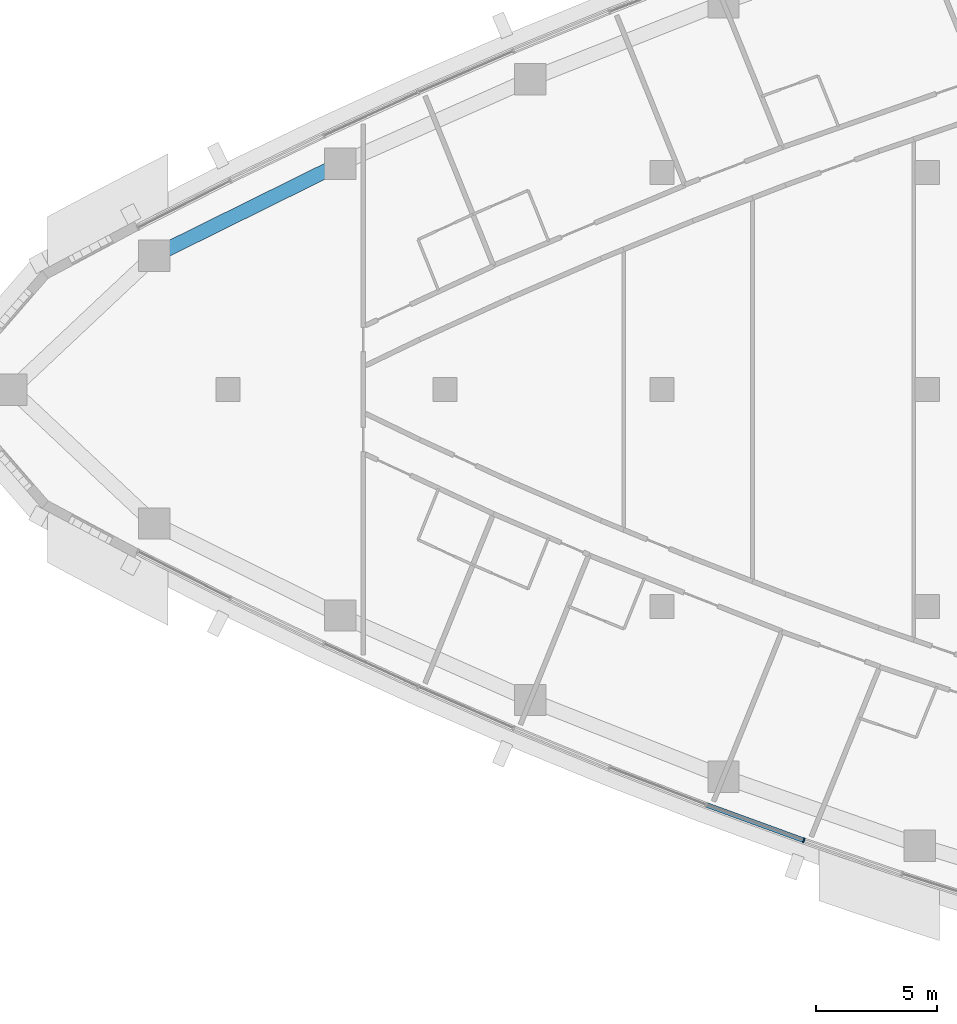
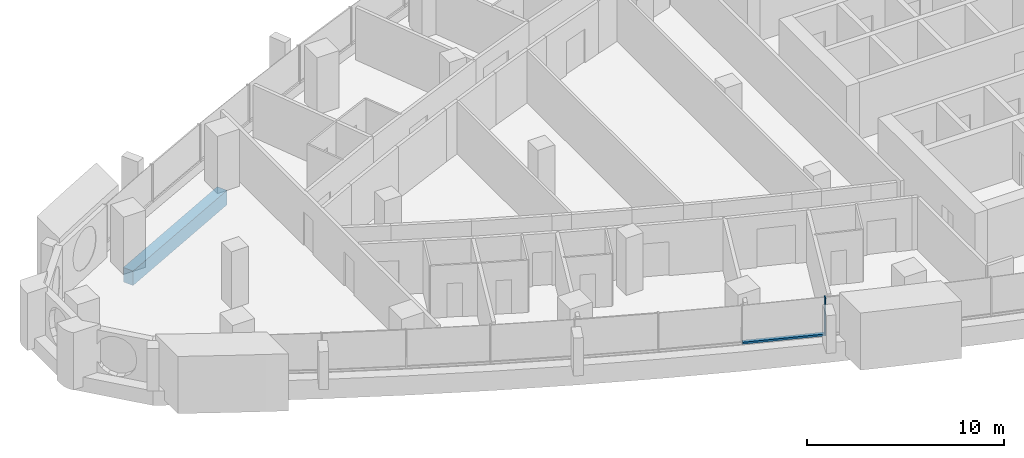
# One storey, part 3 of 17: 2 members, 1 beam, 1 element without a shape of its own.
"""IFC4 building model written with IfcOpenShell, lengths in metres."""

from ifc_helpers import new_model, si_unit, direction, frame, origin, origin_2d, place, context, subcontext, project, spatial, rectangle, extrude, material, layer, layer_set, material_profile, profile_set, type_object, element, aggregate, save


model = new_model("IFC4")

# Units and contexts
model_context = context("Model", 3, precision=1e-05, world=origin(), true_north=direction((0.0, 1.0)))
body_context = subcontext(model_context, "Body", "Model", "MODEL_VIEW")
ifc_project = project(units=[si_unit("LENGTHUNIT", "METRE"), si_unit("AREAUNIT", "SQUARE_METRE"), si_unit("VOLUMEUNIT", "CUBIC_METRE"), si_unit("PLANEANGLEUNIT", "RADIAN"), si_unit("MASSUNIT", "GRAM", prefix="KILO")], contexts=[model_context])

# Site, building, storey
site_placement = place(None, origin())
site = spatial("IfcSite", under=ifc_project, at=site_placement, CompositionType="ELEMENT")
building_placement = place(site_placement, origin())
building = spatial("IfcBuilding", under=site, at=building_placement, Name="Ostrand Prow Hotel Tower", CompositionType="ELEMENT")
storey_placement = place(building_placement, frame((0.0, 0.0, 200.35009765625)))
storey = spatial("IfcBuildingStorey", under=building, at=storey_placement, Name="L50", CompositionType="ELEMENT", Elevation=200.35009765625)

# Beam
ifc_material_1 = material(Name="Concrete C60/75", Category="concrete")
ifc_material_profile_1 = material_profile(ifc_material_1, rectangle(XDim=0.60009765625, YDim=0.89990234375, at=origin_2d()), Name="RC 600x900")
ifc_profile_set_1 = profile_set([ifc_material_profile_1], Name="Concrete C60/75")
beam_type = type_object("IfcBeamType", Name="Edge beam 600x900 C60/75", PredefinedType="SPANDREL", material=ifc_profile_set_1)
beam_placement = place(storey_placement, frame((20.656982421875, 9.373291015625, -0.75), z_axis=(-0.896383774903, -0.443278837856, 0.0), x_axis=(0.443278837856, -0.896383774903, 0.0)))
element("IfcBeam", 1, at=beam_placement, inside=storey, type_object=beam_type, Name="Edge beam N5-N6", PredefinedType="SPANDREL", context=body_context, shape_type="SweptSolid", body=[
    extrude(rectangle(XDim=0.60009765625, YDim=0.89990234375, at=origin_2d()), origin(), (0.0, 0.0, 1.0), 8.62158203125),
])

# Curtain wall, members
ifc_material_2 = material(Name="Insulated glass in bronze anodised frame", Category="glass")
ifc_layer = layer(ifc_material_2, 0.199951171875)
ifc_layer_set = layer_set([ifc_layer], Name="Insulated glass in bronze anodised frame")
curtain_wall_type = type_object("IfcCurtainWallType", Name="Strip curtain wall, fritted glass over bronze spandrel", PredefinedType="NOTDEFINED", material=ifc_layer_set)
curtain_wall_placement = place(storey_placement, origin())
curtain_wall = element("IfcCurtainWall", 2, at=curtain_wall_placement, inside=storey, type_object=curtain_wall_type, Name="CW1 run CWS4", PredefinedType="NOTDEFINED")
ifc_material_3 = material(Name="Bronze anodised aluminium", Category="aluminium")
ifc_material_profile_2 = material_profile(ifc_material_3, rectangle(XDim=0.199951171875, YDim=0.06005859375, at=origin_2d()), Name="Mullion 60x200 bronze anodised aluminium")
ifc_profile_set_2 = profile_set([ifc_material_profile_2], Name="Bronze anodised aluminium")
member_type_1 = type_object("IfcMemberType", Name="Mullion 60x200 bronze anodised aluminium", PredefinedType="MULLION", material=ifc_profile_set_2)
member_1_placement = place(storey_placement, frame((39.87939453125, -18.696533203125, 0.89990234375), z_axis=(0.0, 0.0, 1.0), x_axis=(0.322908332404, 0.946430245113, 0.0)))
member_1 = element("IfcMember", 3, at=member_1_placement, type_object=member_type_1, Name="CW1 mullion 2", PredefinedType="MULLION", context=body_context, shape_type="SweptSolid", body=[
    extrude(rectangle(XDim=0.199951171875, YDim=0.06005859375, at=origin_2d()), origin(), (0.0, 0.0, 1.0), 2.35009765625),
])
ifc_material_4 = material(Name="Bronze anodised aluminium", Category="aluminium")
ifc_material_profile_3 = material_profile(ifc_material_4, rectangle(XDim=0.199951171875, YDim=0.1201171875, at=origin_2d()), Name="Transom 120x200 bronze anodised aluminium")
ifc_profile_set_3 = profile_set([ifc_material_profile_3], Name="Bronze anodised aluminium")
member_type_2 = type_object("IfcMemberType", Name="Transom 120x200 bronze anodised aluminium", PredefinedType="USERDEFINED", material=ifc_profile_set_3)
member_2_placement = place(storey_placement, frame((35.86181640625, -17.235107421875, 0.9599609375), z_axis=(0.939753116272, -0.341853887584, 0.0), x_axis=(0.341853887584, 0.939753116272, 0.0)))
member_2 = element("IfcMember", 4, at=member_2_placement, type_object=member_type_2, Name="CW1 transom 1.1", ObjectType="TRANSOM", PredefinedType="USERDEFINED", context=body_context, shape_type="SweptSolid", body=[
    extrude(rectangle(XDim=0.199951171875, YDim=0.1201171875, at=origin_2d()), origin(), (0.0, 0.0, 1.0), 4.2451171875),
])
aggregate(curtain_wall, [member_1, member_2])

save(model, "model.ifc")
